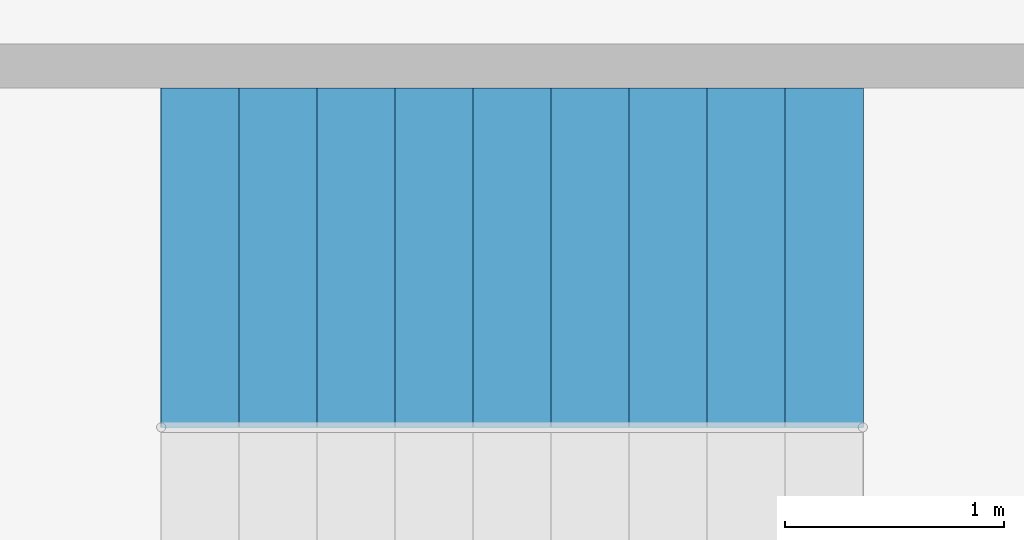
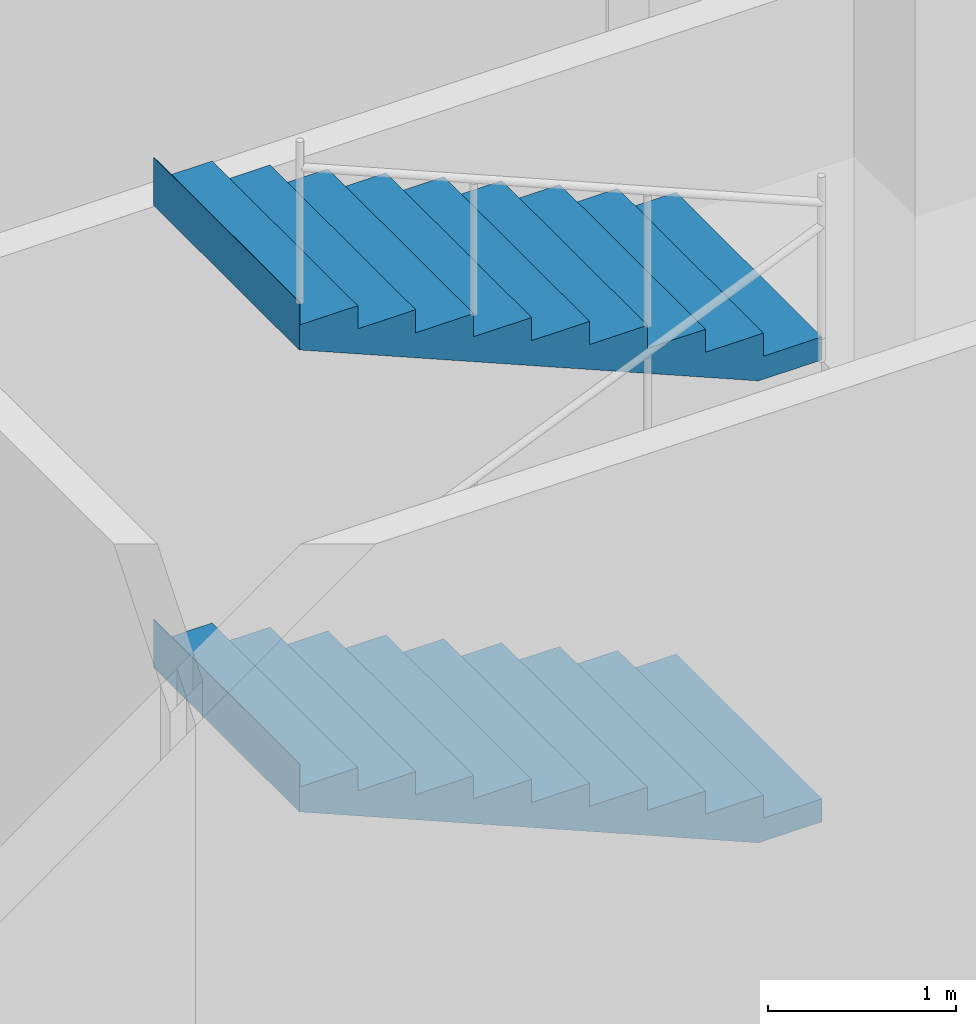
# One storey, part 21 of 28: 2 stair flights, 1 element without a shape of its own.
"""IFC4 building model written with IfcOpenShell, lengths in metres."""

import ifcopenshell
import ifcopenshell.guid

model = None  # the IFC model being written
_history = None  # IfcOwnerHistory: only IFC2X3 demands one
_inside = {}  # id of a spatial element -> (the spatial element, [elements in it])
_under = {}  # id of a project, library or spatial element -> (it, [spatial elements below it])
_declared = {}  # id of a project -> (the project, [libraries it declares])
_typed = {}  # id of a type object -> (the type object, [elements of that type])
_made_of = {}  # id of a material, layer set ... -> (it, [elements and type objects made of it])


def new_model(schema):
    """Start an empty IFC model of exactly this schema.

    Asked for "IFC4X3", IfcOpenShell would pick the latest addendum, in which some entities
    have other attributes; the version numbers below select the first issue.
    IFC2X3 requires an IfcOwnerHistory on every rooted entity: one is made here for all.
    """
    global model, _history
    if schema == "IFC4X3":
        model = ifcopenshell.file(schema_version=(4, 3, 0, 0))
    else:
        model = ifcopenshell.file(schema=schema)
    _inside.clear()
    _under.clear()
    _declared.clear()
    _typed.clear()
    _made_of.clear()
    _history = None
    if model.schema == "IFC2X3":
        org = make("IfcOrganization", Name="unknown")
        user = make(
            "IfcPersonAndOrganization",
            ThePerson=make("IfcPerson", FamilyName="unknown"),
            TheOrganization=org,
        )
        app = make(
            "IfcApplication",
            ApplicationDeveloper=org,
            Version="unknown",
            ApplicationFullName="unknown",
            ApplicationIdentifier="unknown",
        )
        _history = make(
            "IfcOwnerHistory",
            OwningUser=user,
            OwningApplication=app,
            ChangeAction="ADDED",
            CreationDate=0,
        )
    return model


def make(cls, **values):
    """One entity of the class cls with the attributes given. An attribute that is None is left unset."""
    return model.create_entity(
        cls, **{name: value for name, value in values.items() if value is not None}
    )


def rooted(cls, **values):
    """An entity with a GlobalId (a new one), such as an element, a storey or a relation."""
    return make(cls, GlobalId=ifcopenshell.guid.new(), OwnerHistory=_history, **values)


def si_unit(unit_type, name, prefix=None):
    """IfcSIUnit, for example si_unit("LENGTHUNIT", "METRE", prefix="MILLI")."""
    return make("IfcSIUnit", UnitType=unit_type, Prefix=prefix, Name=name)


def assignment(units):
    """IfcUnitAssignment: the units of a project."""
    return None if units is None else make("IfcUnitAssignment", Units=units)


def point(xyz):
    """IfcCartesianPoint."""
    return None if xyz is None else make("IfcCartesianPoint", Coordinates=xyz)


def direction(xyz):
    """IfcDirection."""
    return None if xyz is None else make("IfcDirection", DirectionRatios=xyz)


def frame(location, z_axis=None, x_axis=None):
    """IfcAxis2Placement3D, a coordinate frame: its origin and axes. An axis left out is left unset."""
    return make(
        "IfcAxis2Placement3D",
        Location=point(location),
        Axis=direction(z_axis),
        RefDirection=direction(x_axis),
    )


def origin():
    """The frame at (0, 0, 0) with its axes left unset."""
    return frame((0.0, 0.0, 0.0))


def place(relative_to, where):
    """IfcLocalPlacement: puts the frame where relative to a parent placement (None: the world)."""
    return make(
        "IfcLocalPlacement", PlacementRelTo=relative_to, RelativePlacement=where
    )


def context(
    kind, dimensions, precision=None, world=None, true_north=None, identifier=None
):
    """IfcGeometricRepresentationContext, for example the 3D "Model" context."""
    return make(
        "IfcGeometricRepresentationContext",
        ContextIdentifier=identifier,
        ContextType=kind,
        CoordinateSpaceDimension=dimensions,
        Precision=precision,
        WorldCoordinateSystem=world,
        TrueNorth=true_north,
    )


def subcontext(parent, identifier, kind, view, scale=None):
    """IfcGeometricRepresentationSubContext, for example "Body" below "Model"."""
    return make(
        "IfcGeometricRepresentationSubContext",
        ContextIdentifier=identifier,
        ContextType=kind,
        ParentContext=parent,
        TargetScale=scale,
        TargetView=view,
    )


def project(units=None, contexts=None):
    """IfcProject with its units and contexts."""
    return rooted(
        "IfcProject",
        Name="project",
        RepresentationContexts=contexts,
        UnitsInContext=assignment(units),
    )


def spatial(cls, under=None, at=None, **own):
    """A site, building, storey or space (cls), placed at a placement, below another one or the project."""
    s = rooted(cls, ObjectPlacement=at, **own)
    if under is not None:
        _under.setdefault(under.id(), (under, []))[1].append(s)
    return s


def polyline(points):
    """IfcPolyline through the points."""
    return make("IfcPolyline", Points=[point(p) for p in points])


def outline(outer, holes=None, kind="AREA"):
    """IfcArbitraryClosedProfileDef: a profile drawn as a closed curve; with holes, ...WithVoids."""
    if holes is None:
        return make("IfcArbitraryClosedProfileDef", ProfileType=kind, OuterCurve=outer)
    return make(
        "IfcArbitraryProfileDefWithVoids",
        ProfileType=kind,
        OuterCurve=outer,
        InnerCurves=holes,
    )


def extrude(swept, where, along, depth):
    """IfcExtrudedAreaSolid: the profile swept, set in the frame where, extruded along a direction by depth."""
    return make(
        "IfcExtrudedAreaSolid",
        SweptArea=swept,
        Position=where,
        ExtrudedDirection=direction(along),
        Depth=depth,
    )


def shape(context_of_items, identifier, shape_type, items):
    """IfcShapeRepresentation: the items that make up one representation, for example the "Body"."""
    return make(
        "IfcShapeRepresentation",
        ContextOfItems=context_of_items,
        RepresentationIdentifier=identifier,
        RepresentationType=shape_type,
        Items=items,
    )


def material(Name=None, Category=None):
    """IfcMaterial."""
    return make("IfcMaterial", Name=Name, Category=Category)


def made_of(thing, what):
    """Note that an element or type object is made of a material, layer set ...; save() writes the relation."""
    if what is not None:
        _made_of.setdefault(what.id(), (what, []))[1].append(thing)
    return thing


def type_object(cls, material=None, **own):
    """A type object (cls), such as IfcWallType, which elements share."""
    return made_of(rooted(cls, **own), material)


def element(
    cls,
    number,
    at=None,
    inside=None,
    cuts=None,
    type_object=None,
    material=None,
    context=None,
    identifier="Body",
    shape_type=None,
    held_by="IfcProductDefinitionShape",
    body=None,
    shapes=None,
    **own,
):
    """One element of the class cls, such as IfcWall. Its Tag is "e" and its number.

    at: its placement. inside: the storey or other place that contains it. cuts: it is an
    opening in that element (IfcRelVoidsElement). A single representation is given by context,
    identifier, shape_type and body (its items); several are given by shapes. held_by: the class
    of the entity that holds the representations. save() writes the other relations.
    """
    e = rooted(cls, Tag="e%d" % number, ObjectPlacement=at, **own)
    if body is not None:
        shapes = [shape(context, identifier, shape_type, body)]
    if shapes is not None:
        e.Representation = make(held_by, Representations=shapes)
    if inside is not None:
        _inside.setdefault(inside.id(), (inside, []))[1].append(e)
    if cuts is not None:
        rooted(
            "IfcRelVoidsElement", RelatingBuildingElement=cuts, RelatedOpeningElement=e
        )
    if type_object is not None:
        _typed.setdefault(type_object.id(), (type_object, []))[1].append(e)
    return made_of(e, material)


def aggregate(whole, parts):
    """IfcRelAggregates: a whole, such as a stair, and the parts it consists of."""
    return rooted("IfcRelAggregates", RelatingObject=whole, RelatedObjects=parts)


def save(model, path):
    """Write the relations noted so far, then the file.

    IfcRelAggregates (storeys below a building ...), IfcRelContainedInSpatialStructure (elements
    in a storey), IfcRelDefinesByType, IfcRelAssociatesMaterial and IfcRelDeclares: one each for
    every whole, place, type object, material and project.
    """
    for whole, parts in _under.values():
        aggregate(whole, parts)
    for where, things in _inside.values():
        rooted(
            "IfcRelContainedInSpatialStructure",
            RelatedElements=things,
            RelatingStructure=where,
        )
    for kind, things in _typed.values():
        rooted("IfcRelDefinesByType", RelatedObjects=things, RelatingType=kind)
    for what, things in _made_of.values():
        rooted("IfcRelAssociatesMaterial", RelatedObjects=things, RelatingMaterial=what)
    for by, libraries in _declared.values():
        rooted("IfcRelDeclares", RelatingContext=by, RelatedDefinitions=libraries)
    model.write(path)


model = new_model("IFC4")

# Units and contexts
model_context = context("Model", 3, precision=1e-05, world=origin(), true_north=direction((0.0, 1.0)))
body_context = subcontext(model_context, "Body", "Model", "MODEL_VIEW")
ifc_project = project(units=[si_unit("LENGTHUNIT", "METRE"), si_unit("AREAUNIT", "SQUARE_METRE"), si_unit("VOLUMEUNIT", "CUBIC_METRE"), si_unit("PLANEANGLEUNIT", "RADIAN"), si_unit("MASSUNIT", "GRAM", prefix="KILO")], contexts=[model_context])

# Site, building, storey
site_placement = place(None, origin())
site = spatial("IfcSite", under=ifc_project, at=site_placement, CompositionType="ELEMENT")
building_placement = place(site_placement, origin())
building = spatial("IfcBuilding", under=site, at=building_placement, Name="Qaws Garden Tower", CompositionType="ELEMENT")
storey_placement = place(building_placement, frame((0.0, 0.0, 6.0)))
storey = spatial("IfcBuildingStorey", under=building, at=storey_placement, Name="L01", CompositionType="ELEMENT", Elevation=6.0)

# Stair, stair flights
ifc_material_1 = material(Name="Concrete C40", Category="concrete")
stair_type = type_object("IfcStairType", Name="Exit stair 1350", PredefinedType="HALF_TURN_STAIR", material=ifc_material_1)
stair_placement = place(storey_placement, origin())
stair = element("IfcStair", 1, at=stair_placement, inside=storey, type_object=stair_type, Name="Stair 7", PredefinedType="HALF_TURN_STAIR")
ifc_material_2 = material(Name="Concrete C40", Category="concrete")
stair_flight_type = type_object("IfcStairFlightType", Name="Stair flight 1350", PredefinedType="STRAIGHT", material=ifc_material_2)
stair_flight_1_placement = place(storey_placement, frame((17.9541015625, 68.925048828125, 1.5), z_axis=(0.0, 0.0, 1.0), x_axis=(-1.0, 0.0, 0.0)))
stair_flight_1 = element("IfcStairFlight", 2, at=stair_flight_1_placement, type_object=stair_flight_type, Name="ST7 flight 2", NumberOfRisers=10, NumberOfTreads=9, PredefinedType="STRAIGHT", RiserHeight=0.15, TreadLength=0.356, context=body_context, shape_type="SweptSolid", body=[
    extrude(outline(polyline([(-0.0029296875, 0.0), (-0.0029296875, 0.14990234375), (0.0, 0.14990234375), (0.35595703125, 0.14990234375), (0.35595703125, 0.300048828125), (0.7119140625, 0.300048828125), (0.7119140625, 0.449951171875), (1.068115234375, 0.449951171875), (1.068115234375, 0.60009765625), (1.424072265625, 0.60009765625), (1.424072265625, 0.75), (1.780029296875, 0.75), (1.780029296875, 0.89990234375), (2.135986328125, 0.89990234375), (2.135986328125, 1.050048828125), (2.491943359375, 1.050048828125), (2.491943359375, 1.199951171875), (2.847900390625, 1.199951171875), (2.847900390625, 1.35009765625), (3.2041015625, 1.35009765625), (3.2041015625, 1.5), (3.20703125, 1.5), (3.20703125, 1.187255859375), (3.2041015625, 1.187255859375), (0.385986328125, 0.0), (-0.0029296875, 0.0)])), frame((0.0, 0.77490234375, 0.0), z_axis=(0.0, -1.0, 0.0), x_axis=(1.0, 0.0, 0.0)), (0.0, 0.0, 1.0), 1.550048828125),
])
stair_flight_2_placement = place(storey_placement, frame((17.9541015625, 68.925048828125, 4.5), z_axis=(0.0, 0.0, 1.0), x_axis=(-1.0, 0.0, 0.0)))
stair_flight_2 = element("IfcStairFlight", 3, at=stair_flight_2_placement, type_object=stair_flight_type, Name="ST7 flight 4", NumberOfRisers=10, NumberOfTreads=9, PredefinedType="STRAIGHT", RiserHeight=0.15, TreadLength=0.356, context=body_context, shape_type="SweptSolid", body=[
    extrude(outline(polyline([(-0.0029296875, 0.0), (-0.0029296875, 0.14990234375), (0.0, 0.14990234375), (0.35595703125, 0.14990234375), (0.35595703125, 0.300048828125), (0.7119140625, 0.300048828125), (0.7119140625, 0.449951171875), (1.068115234375, 0.449951171875), (1.068115234375, 0.60009765625), (1.424072265625, 0.60009765625), (1.424072265625, 0.75), (1.780029296875, 0.75), (1.780029296875, 0.89990234375), (2.135986328125, 0.89990234375), (2.135986328125, 1.050048828125), (2.491943359375, 1.050048828125), (2.491943359375, 1.199951171875), (2.847900390625, 1.199951171875), (2.847900390625, 1.35009765625), (3.2041015625, 1.35009765625), (3.2041015625, 1.5), (3.20703125, 1.5), (3.20703125, 1.187255859375), (3.2041015625, 1.187255859375), (0.385986328125, 0.0), (-0.0029296875, 0.0)])), frame((0.0, 0.77490234375, 0.0), z_axis=(0.0, -1.0, 0.0), x_axis=(1.0, 0.0, 0.0)), (0.0, 0.0, 1.0), 1.550048828125),
])
aggregate(stair, [stair_flight_1, stair_flight_2])

save(model, "model.ifc")
